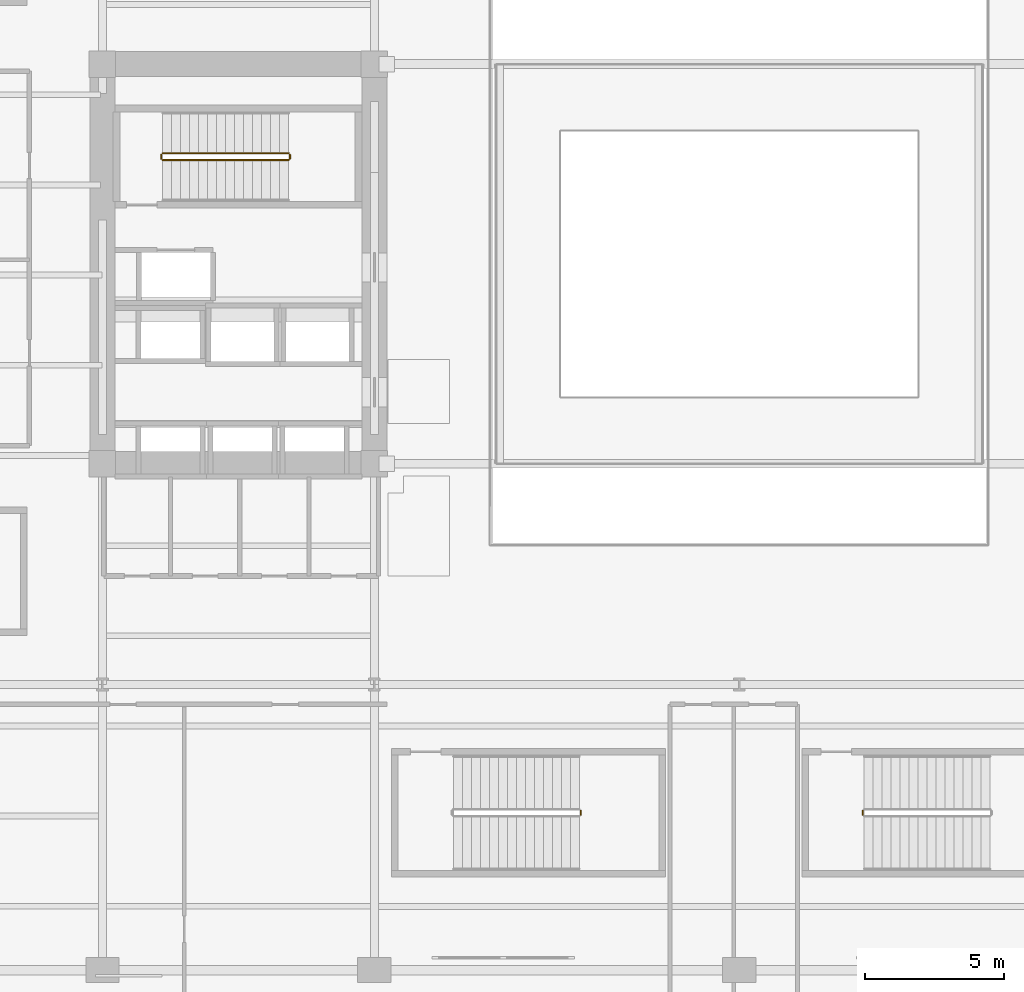
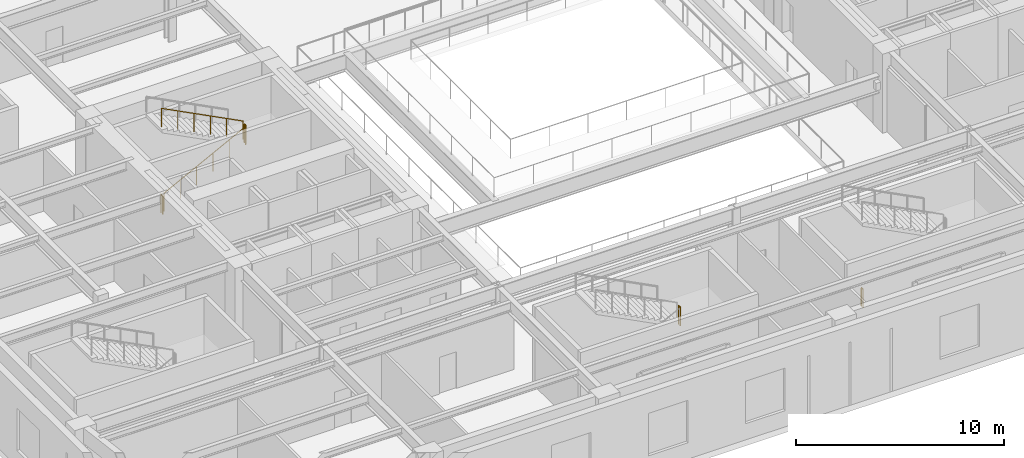
# One storey, part 15 of 22: 6 railings.
"""IFC4 building model written with IfcOpenShell, lengths in metres."""

from ifc_helpers import new_model, si_unit, direction, frame, origin, origin_2d, place, context, subcontext, project, spatial, circle, extrude, material, type_object, element, save


model = new_model("IFC4")

# Units and contexts
model_context = context("Model", 3, precision=1e-05, world=origin(), true_north=direction((0.0, 1.0)))
body_context = subcontext(model_context, "Body", "Model", "MODEL_VIEW")
ifc_project = project(units=[si_unit("LENGTHUNIT", "METRE"), si_unit("AREAUNIT", "SQUARE_METRE"), si_unit("VOLUMEUNIT", "CUBIC_METRE"), si_unit("PLANEANGLEUNIT", "RADIAN"), si_unit("MASSUNIT", "GRAM", prefix="KILO")], contexts=[model_context])

# Site, building, storey
site_placement = place(None, origin())
site = spatial("IfcSite", under=ifc_project, at=site_placement, CompositionType="ELEMENT")
building_placement = place(site_placement, origin())
building = spatial("IfcBuilding", under=site, at=building_placement, Name="Kolvaren Arena Tower", CompositionType="ELEMENT")
storey_placement = place(building_placement, frame((0.0, 0.0, 13.0)))
storey = spatial("IfcBuildingStorey", under=building, at=storey_placement, Name="L02", CompositionType="ELEMENT", Elevation=13.0)

# Railings
ifc_material = material(Name="Painted galvanized steel", Category="steel")
railing_type = type_object("IfcRailingType", Name="GUARD-ST-110", PredefinedType="GUARDRAIL", material=ifc_material)
railing_1_placement = place(storey_placement, frame((16.719970703125, 30.389892578125, 0.166748046875)))
element("IfcRailing", 1, at=railing_1_placement, inside=storey, type_object=railing_type, Name="L02 ST-W1 stair guard 1", PredefinedType="GUARDRAIL", context=body_context, shape_type="SweptSolid", body=[
    extrude(circle(Radius=0.02392578125, at=origin_2d()), frame((0.0, 0.0, 1.076171875), z_axis=(0.889257211316, 0.0, 0.457407490234), x_axis=(0.0, 1.0, 0.0)), (0.0, 0.0, 1.0), 5.10107421875),
    extrude(circle(Radius=0.02099609375, at=origin_2d()), origin(), (0.0, 0.0, 1.0), 1.052001953125),
    extrude(circle(Radius=0.02099609375, at=origin_2d()), frame((0.9072265625, 0.0, 0.466552734375)), (0.0, 0.0, 1.0), 1.052001953125),
    extrude(circle(Radius=0.02099609375, at=origin_2d()), frame((1.814453125, 0.0, 0.933349609375)), (0.0, 0.0, 1.0), 1.052001953125),
    extrude(circle(Radius=0.02099609375, at=origin_2d()), frame((2.7216796875, 0.0, 1.39990234375)), (0.0, 0.0, 1.0), 1.052001953125),
    extrude(circle(Radius=0.02099609375, at=origin_2d()), frame((3.62890625, 0.0, 1.86669921875)), (0.0, 0.0, 1.0), 1.052001953125),
    extrude(circle(Radius=0.02099609375, at=origin_2d()), frame((4.5361328125, 0.0, 2.333251953125)), (0.0, 0.0, 1.0), 1.052001953125),
])
railing_2_placement = place(storey_placement, frame((21.305908203125, 30.43994140625, 2.5)))
element("IfcRailing", 2, at=railing_2_placement, inside=storey, type_object=railing_type, Name="L02 ST-W1 stair guard 2", PredefinedType="GUARDRAIL", context=body_context, shape_type="SweptSolid", body=[
    extrude(circle(Radius=0.02392578125, at=origin_2d()), frame((0.0, 0.0, 1.076171875), z_axis=(0.0, 1.0, 0.0), x_axis=(-1.0, 0.0, 0.0)), (0.0, 0.0, 1.0), 0.150146484375),
    extrude(circle(Radius=0.02099609375, at=origin_2d()), origin(), (0.0, 0.0, 1.0), 1.052001953125),
    extrude(circle(Radius=0.02099609375, at=origin_2d()), frame((0.0, 0.150146484375, 0.0)), (0.0, 0.0, 1.0), 1.052001953125),
])
railing_3_placement = place(storey_placement, frame((21.256103515625, 30.639892578125, 2.666748046875)))
element("IfcRailing", 3, at=railing_3_placement, inside=storey, type_object=railing_type, Name="L02 ST-W1 stair guard 3", PredefinedType="GUARDRAIL", context=body_context, shape_type="SweptSolid", body=[
    extrude(circle(Radius=0.02392578125, at=origin_2d()), frame((0.0, 0.0, 1.076171875), z_axis=(-0.889257211316, 0.0, 0.457407490234), x_axis=(0.0, -1.0, 0.0)), (0.0, 0.0, 1.0), 5.10107421875),
    extrude(circle(Radius=0.02099609375, at=origin_2d()), origin(), (0.0, 0.0, 1.0), 1.052001953125),
    extrude(circle(Radius=0.02099609375, at=origin_2d()), frame((-0.9072265625, 0.0, 0.466552734375)), (0.0, 0.0, 1.0), 1.052001953125),
    extrude(circle(Radius=0.02099609375, at=origin_2d()), frame((-1.814453125, 0.0, 0.933349609375)), (0.0, 0.0, 1.0), 1.052001953125),
    extrude(circle(Radius=0.02099609375, at=origin_2d()), frame((-2.7216796875, 0.0, 1.39990234375)), (0.0, 0.0, 1.0), 1.052001953125),
    extrude(circle(Radius=0.02099609375, at=origin_2d()), frame((-3.62890625, 0.0, 1.86669921875)), (0.0, 0.0, 1.0), 1.052001953125),
    extrude(circle(Radius=0.02099609375, at=origin_2d()), frame((-4.5361328125, 0.0, 2.333251953125)), (0.0, 0.0, 1.0), 1.052001953125),
])
railing_4_placement = place(storey_placement, frame((16.669921875, 30.43994140625, 0.0)))
element("IfcRailing", 4, at=railing_4_placement, inside=storey, type_object=railing_type, Name="L02 ST-W1 stair guard 4", PredefinedType="GUARDRAIL", context=body_context, shape_type="SweptSolid", body=[
    extrude(circle(Radius=0.02392578125, at=origin_2d()), frame((0.0, 0.0, 1.076171875), z_axis=(0.0, 1.0, 0.0), x_axis=(-1.0, 0.0, 0.0)), (0.0, 0.0, 1.0), 0.150146484375),
    extrude(circle(Radius=0.02099609375, at=origin_2d()), origin(), (0.0, 0.0, 1.0), 1.052001953125),
    extrude(circle(Radius=0.02099609375, at=origin_2d()), frame((0.0, 0.150146484375, 0.0)), (0.0, 0.0, 1.0), 1.052001953125),
])
for number, where, name in (
    (5, (31.785888671875, 6.800048828125, 2.5), "L02 ST-A2 stair guard 2"),
    (6, (41.949951171875, 6.800048828125, 0.0), "L02 ST-A3 stair guard 4"),
):
    element("IfcRailing", number, at=place(storey_placement, frame(where)), inside=storey, type_object=railing_type, Name=name, PredefinedType="GUARDRAIL", context=body_context, shape_type="SweptSolid", body=[
        extrude(circle(Radius=0.02392578125, at=origin_2d()), frame((0.0, 0.0, 1.076171875), z_axis=(0.0, 1.0, 0.0), x_axis=(-1.0, 0.0, 0.0)), (0.0, 0.0, 1.0), 0.14990234375),
        extrude(circle(Radius=0.02099609375, at=origin_2d()), origin(), (0.0, 0.0, 1.0), 1.052001953125),
        extrude(circle(Radius=0.02099609375, at=origin_2d()), frame((0.0, 0.14990234375, 0.0)), (0.0, 0.0, 1.0), 1.052001953125),
    ])

save(model, "model.ifc")
